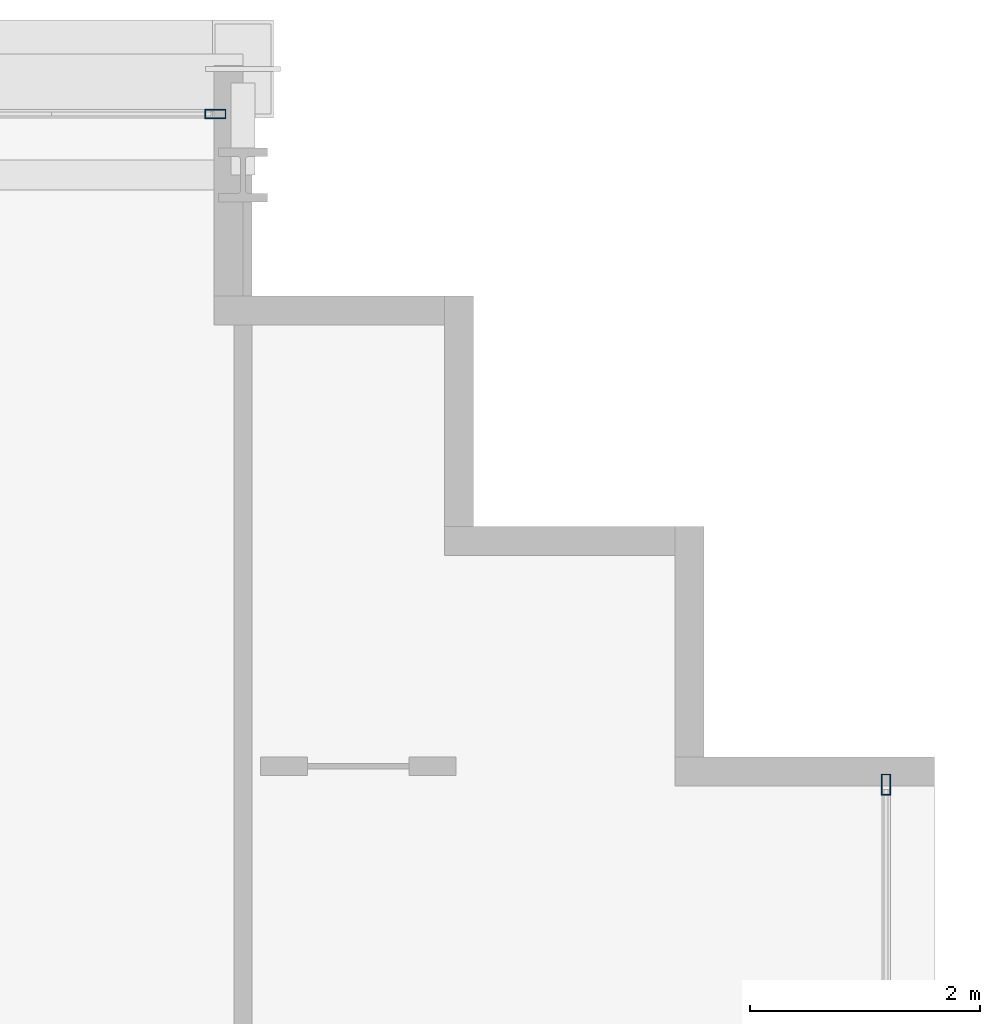
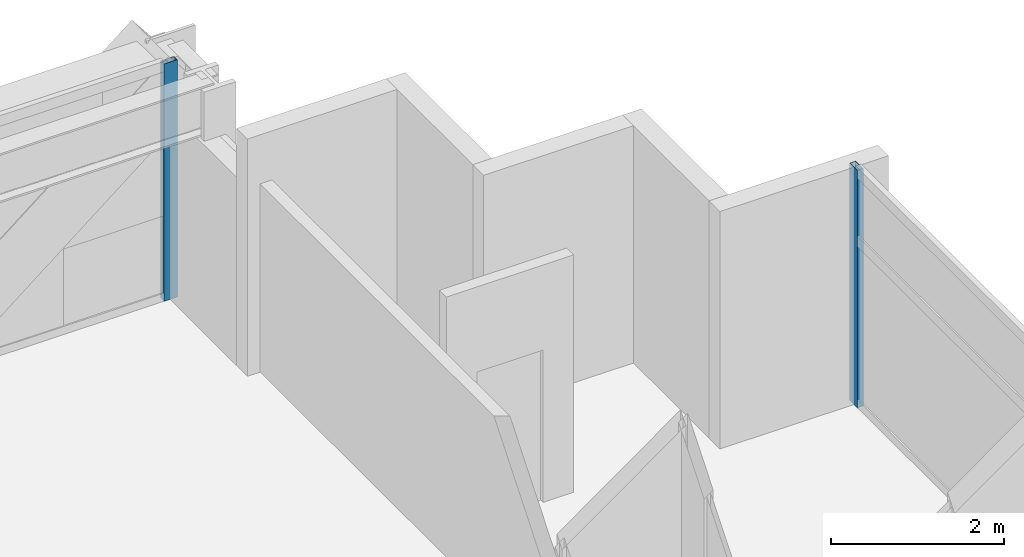
# One storey, part 22 of 38: 2 members, 2 elements without a shape of their own.
"""IFC4 building model written with IfcOpenShell, lengths in metres."""

import ifcopenshell
import ifcopenshell.guid

model = None  # the IFC model being written
_history = None  # IfcOwnerHistory: only IFC2X3 demands one
_inside = {}  # id of a spatial element -> (the spatial element, [elements in it])
_under = {}  # id of a project, library or spatial element -> (it, [spatial elements below it])
_declared = {}  # id of a project -> (the project, [libraries it declares])
_typed = {}  # id of a type object -> (the type object, [elements of that type])
_made_of = {}  # id of a material, layer set ... -> (it, [elements and type objects made of it])


def new_model(schema):
    """Start an empty IFC model of exactly this schema.

    Asked for "IFC4X3", IfcOpenShell would pick the latest addendum, in which some entities
    have other attributes; the version numbers below select the first issue.
    IFC2X3 requires an IfcOwnerHistory on every rooted entity: one is made here for all.
    """
    global model, _history
    if schema == "IFC4X3":
        model = ifcopenshell.file(schema_version=(4, 3, 0, 0))
    else:
        model = ifcopenshell.file(schema=schema)
    _inside.clear()
    _under.clear()
    _declared.clear()
    _typed.clear()
    _made_of.clear()
    _history = None
    if model.schema == "IFC2X3":
        org = make("IfcOrganization", Name="unknown")
        user = make(
            "IfcPersonAndOrganization",
            ThePerson=make("IfcPerson", FamilyName="unknown"),
            TheOrganization=org,
        )
        app = make(
            "IfcApplication",
            ApplicationDeveloper=org,
            Version="unknown",
            ApplicationFullName="unknown",
            ApplicationIdentifier="unknown",
        )
        _history = make(
            "IfcOwnerHistory",
            OwningUser=user,
            OwningApplication=app,
            ChangeAction="ADDED",
            CreationDate=0,
        )
    return model


def make(cls, **values):
    """One entity of the class cls with the attributes given. An attribute that is None is left unset."""
    return model.create_entity(
        cls, **{name: value for name, value in values.items() if value is not None}
    )


def rooted(cls, **values):
    """An entity with a GlobalId (a new one), such as an element, a storey or a relation."""
    return make(cls, GlobalId=ifcopenshell.guid.new(), OwnerHistory=_history, **values)


def si_unit(unit_type, name, prefix=None):
    """IfcSIUnit, for example si_unit("LENGTHUNIT", "METRE", prefix="MILLI")."""
    return make("IfcSIUnit", UnitType=unit_type, Prefix=prefix, Name=name)


def assignment(units):
    """IfcUnitAssignment: the units of a project."""
    return None if units is None else make("IfcUnitAssignment", Units=units)


def point(xyz):
    """IfcCartesianPoint."""
    return None if xyz is None else make("IfcCartesianPoint", Coordinates=xyz)


def direction(xyz):
    """IfcDirection."""
    return None if xyz is None else make("IfcDirection", DirectionRatios=xyz)


def frame(location, z_axis=None, x_axis=None):
    """IfcAxis2Placement3D, a coordinate frame: its origin and axes. An axis left out is left unset."""
    return make(
        "IfcAxis2Placement3D",
        Location=point(location),
        Axis=direction(z_axis),
        RefDirection=direction(x_axis),
    )


def frame_2d(location, x_axis=None):
    """IfcAxis2Placement2D, a coordinate frame in the plane: its origin and x axis."""
    return make(
        "IfcAxis2Placement2D", Location=point(location), RefDirection=direction(x_axis)
    )


def origin():
    """The frame at (0, 0, 0) with its axes left unset."""
    return frame((0.0, 0.0, 0.0))


def origin_2d():
    """The frame at (0, 0) in the plane with its x axis left unset."""
    return frame_2d((0.0, 0.0))


def place(relative_to, where):
    """IfcLocalPlacement: puts the frame where relative to a parent placement (None: the world)."""
    return make(
        "IfcLocalPlacement", PlacementRelTo=relative_to, RelativePlacement=where
    )


def context(
    kind, dimensions, precision=None, world=None, true_north=None, identifier=None
):
    """IfcGeometricRepresentationContext, for example the 3D "Model" context."""
    return make(
        "IfcGeometricRepresentationContext",
        ContextIdentifier=identifier,
        ContextType=kind,
        CoordinateSpaceDimension=dimensions,
        Precision=precision,
        WorldCoordinateSystem=world,
        TrueNorth=true_north,
    )


def subcontext(parent, identifier, kind, view, scale=None):
    """IfcGeometricRepresentationSubContext, for example "Body" below "Model"."""
    return make(
        "IfcGeometricRepresentationSubContext",
        ContextIdentifier=identifier,
        ContextType=kind,
        ParentContext=parent,
        TargetScale=scale,
        TargetView=view,
    )


def project(units=None, contexts=None):
    """IfcProject with its units and contexts."""
    return rooted(
        "IfcProject",
        Name="project",
        RepresentationContexts=contexts,
        UnitsInContext=assignment(units),
    )


def spatial(cls, under=None, at=None, **own):
    """A site, building, storey or space (cls), placed at a placement, below another one or the project."""
    s = rooted(cls, ObjectPlacement=at, **own)
    if under is not None:
        _under.setdefault(under.id(), (under, []))[1].append(s)
    return s


def profile(cls, at=None, kind="AREA", **sizes):
    """A parametric profile (cls). Its sizes go by their IFC names, for example OverallWidth=200.0."""
    return make(cls, ProfileType=kind, Position=at, **sizes)


def hollow_rectangle(**sizes):
    """IfcRectangleHollowProfileDef."""
    return profile("IfcRectangleHollowProfileDef", **sizes)


def extrude(swept, where, along, depth):
    """IfcExtrudedAreaSolid: the profile swept, set in the frame where, extruded along a direction by depth."""
    return make(
        "IfcExtrudedAreaSolid",
        SweptArea=swept,
        Position=where,
        ExtrudedDirection=direction(along),
        Depth=depth,
    )


def shape(context_of_items, identifier, shape_type, items):
    """IfcShapeRepresentation: the items that make up one representation, for example the "Body"."""
    return make(
        "IfcShapeRepresentation",
        ContextOfItems=context_of_items,
        RepresentationIdentifier=identifier,
        RepresentationType=shape_type,
        Items=items,
    )


def source(mapping_origin, context_of_items, identifier, shape_type, items):
    """IfcRepresentationMap: a shape defined once, which mapped items show again and again."""
    return make(
        "IfcRepresentationMap",
        MappingOrigin=mapping_origin,
        MappedRepresentation=shape(context_of_items, identifier, shape_type, items),
    )


def transform(
    local_origin,
    x_axis=None,
    y_axis=None,
    z_axis=None,
    scale=None,
    scale2=None,
    scale3=None,
    uniform=True,
):
    """IfcCartesianTransformationOperator3D, or its non-uniform kind. x_axis, y_axis, z_axis: its Axis1, 2, 3."""
    if uniform:
        return make(
            "IfcCartesianTransformationOperator3D",
            Axis1=direction(x_axis),
            Axis2=direction(y_axis),
            LocalOrigin=point(local_origin),
            Scale=scale,
            Axis3=direction(z_axis),
        )
    return make(
        "IfcCartesianTransformationOperator3DnonUniform",
        Axis1=direction(x_axis),
        Axis2=direction(y_axis),
        LocalOrigin=point(local_origin),
        Scale=scale,
        Axis3=direction(z_axis),
        Scale2=scale2,
        Scale3=scale3,
    )


def mapped(mapping_source, mapping_target):
    """IfcMappedItem: shows the shape of a source again, moved by a transform."""
    return make(
        "IfcMappedItem", MappingSource=mapping_source, MappingTarget=mapping_target
    )


def material(Name=None, Category=None):
    """IfcMaterial."""
    return make("IfcMaterial", Name=Name, Category=Category)


def layer(
    of_material, thickness, ventilated=None, Name=None, Category=None, Priority=None
):
    """IfcMaterialLayer: one layer of a wall or slab, of a material (None: an air gap)."""
    return make(
        "IfcMaterialLayer",
        Material=of_material,
        LayerThickness=thickness,
        IsVentilated=ventilated,
        Name=Name,
        Category=Category,
        Priority=Priority,
    )


def layer_set(layers, Name=None):
    """IfcMaterialLayerSet."""
    return make("IfcMaterialLayerSet", MaterialLayers=layers, LayerSetName=Name)


def material_profile(
    of_material, cross_section, Name=None, Category=None, Priority=None
):
    """IfcMaterialProfile: a cross section and its material."""
    return make(
        "IfcMaterialProfile",
        Name=Name,
        Material=of_material,
        Profile=cross_section,
        Priority=Priority,
        Category=Category,
    )


def profile_set(profiles, Name=None, composite=None):
    """IfcMaterialProfileSet."""
    return make(
        "IfcMaterialProfileSet",
        Name=Name,
        MaterialProfiles=profiles,
        CompositeProfile=composite,
    )


def made_of(thing, what):
    """Note that an element or type object is made of a material, layer set ...; save() writes the relation."""
    if what is not None:
        _made_of.setdefault(what.id(), (what, []))[1].append(thing)
    return thing


def type_object(cls, material=None, **own):
    """A type object (cls), such as IfcWallType, which elements share."""
    return made_of(rooted(cls, **own), material)


def element(
    cls,
    number,
    at=None,
    inside=None,
    cuts=None,
    type_object=None,
    material=None,
    context=None,
    identifier="Body",
    shape_type=None,
    held_by="IfcProductDefinitionShape",
    body=None,
    shapes=None,
    **own,
):
    """One element of the class cls, such as IfcWall. Its Tag is "e" and its number.

    at: its placement. inside: the storey or other place that contains it. cuts: it is an
    opening in that element (IfcRelVoidsElement). A single representation is given by context,
    identifier, shape_type and body (its items); several are given by shapes. held_by: the class
    of the entity that holds the representations. save() writes the other relations.
    """
    e = rooted(cls, Tag="e%d" % number, ObjectPlacement=at, **own)
    if body is not None:
        shapes = [shape(context, identifier, shape_type, body)]
    if shapes is not None:
        e.Representation = make(held_by, Representations=shapes)
    if inside is not None:
        _inside.setdefault(inside.id(), (inside, []))[1].append(e)
    if cuts is not None:
        rooted(
            "IfcRelVoidsElement", RelatingBuildingElement=cuts, RelatedOpeningElement=e
        )
    if type_object is not None:
        _typed.setdefault(type_object.id(), (type_object, []))[1].append(e)
    return made_of(e, material)


def aggregate(whole, parts):
    """IfcRelAggregates: a whole, such as a stair, and the parts it consists of."""
    return rooted("IfcRelAggregates", RelatingObject=whole, RelatedObjects=parts)


def save(model, path):
    """Write the relations noted so far, then the file.

    IfcRelAggregates (storeys below a building ...), IfcRelContainedInSpatialStructure (elements
    in a storey), IfcRelDefinesByType, IfcRelAssociatesMaterial and IfcRelDeclares: one each for
    every whole, place, type object, material and project.
    """
    for whole, parts in _under.values():
        aggregate(whole, parts)
    for where, things in _inside.values():
        rooted(
            "IfcRelContainedInSpatialStructure",
            RelatedElements=things,
            RelatingStructure=where,
        )
    for kind, things in _typed.values():
        rooted("IfcRelDefinesByType", RelatedObjects=things, RelatingType=kind)
    for what, things in _made_of.values():
        rooted("IfcRelAssociatesMaterial", RelatedObjects=things, RelatingMaterial=what)
    for by, libraries in _declared.values():
        rooted("IfcRelDeclares", RelatingContext=by, RelatedDefinitions=libraries)
    model.write(path)


model = new_model("IFC4")

# Units and contexts
model_context = context("Model", 3, precision=1e-05, world=origin(), true_north=direction((0.0, 1.0)))
body_context = subcontext(model_context, "Body", "Model", "MODEL_VIEW")
ifc_project = project(units=[si_unit("LENGTHUNIT", "METRE"), si_unit("AREAUNIT", "SQUARE_METRE"), si_unit("VOLUMEUNIT", "CUBIC_METRE"), si_unit("PLANEANGLEUNIT", "RADIAN"), si_unit("MASSUNIT", "GRAM", prefix="KILO")], contexts=[model_context])

# Site, building, storey
site_placement = place(None, origin())
site = spatial("IfcSite", under=ifc_project, at=site_placement, CompositionType="ELEMENT")
building_placement = place(site_placement, origin())
building = spatial("IfcBuilding", under=site, at=building_placement, Name="Ocotamira Hotel", CompositionType="ELEMENT")
storey_placement = place(building_placement, frame((0.0, 0.0, 60.0)))
storey = spatial("IfcBuildingStorey", under=building, at=storey_placement, Name="L14", CompositionType="ELEMENT", Elevation=60.0)

# Curtain wall, member
ifc_material_1 = material(Name="Anodised pale-metal aluminium and solar glass", Category="aluminium")
ifc_layer = layer(ifc_material_1, 0.179931640625)
ifc_layer_set = layer_set([ifc_layer], Name="Anodised pale-metal aluminium and solar glass")
curtain_wall_type = type_object("IfcCurtainWallType", Name="CW-SYS2-Z1", PredefinedType="NOTDEFINED", material=ifc_layer_set)
curtain_wall_1_placement = place(storey_placement, origin())
curtain_wall_1 = element("IfcCurtainWall", 1, at=curtain_wall_1_placement, inside=storey, type_object=curtain_wall_type, Name="L14 Curtain Wall CW-2 CW-L14-N", PredefinedType="NOTDEFINED")
ifc_material_2 = material(Name="Anodised pale-metal aluminium 6063-T6", Category="aluminium")
ifc_material_profile = material_profile(ifc_material_2, hollow_rectangle(XDim=0.080078125, YDim=0.179931640625, WallThickness=0.006103515625, at=origin_2d()), Name="HSS180X80X6")
ifc_profile_set = profile_set([ifc_material_profile], Name="Anodised pale-metal aluminium 6063-T6")
member_type = type_object("IfcMemberType", Name="CWM-180X75", PredefinedType="MULLION", material=ifc_profile_set)
shared_shape = source(origin(), body_context, "Body", "SweptSolid", [
    extrude(hollow_rectangle(XDim=0.080078125, YDim=0.179931640625, WallThickness=0.006103515625, at=origin_2d()), origin(), (0.0, 0.0, 1.0), 3.35009765625),
])
member_1_placement = place(storey_placement, frame((49.760009765625, 49.580078125, 0.0), z_axis=(0.0, 0.0, 1.0), x_axis=(0.0, 1.0, 0.0)))
member_1 = element("IfcMember", 2, at=member_1_placement, type_object=member_type, Name="CW-2 mullion 10", PredefinedType="MULLION", context=body_context, shape_type="MappedRepresentation", body=[
    mapped(shared_shape, transform((0.0, 0.0, 0.0), scale=1.0)),
])
aggregate(curtain_wall_1, [member_1])

curtain_wall_2_placement = place(storey_placement, origin())
curtain_wall_2 = element("IfcCurtainWall", 3, at=curtain_wall_2_placement, inside=storey, type_object=curtain_wall_type, Name="L14 Curtain Wall CW-2 CW-L14-E", PredefinedType="NOTDEFINED")
member_2_placement = place(storey_placement, frame((55.580078125, 43.760009765625, 0.0), z_axis=(0.0, 0.0, 1.0), x_axis=(-1.0, 0.0, 0.0)))
member_2 = element("IfcMember", 4, at=member_2_placement, type_object=member_type, Name="CW-2 mullion 8", PredefinedType="MULLION", context=body_context, shape_type="MappedRepresentation", body=[
    mapped(shared_shape, transform((0.0, 0.0, 0.0), scale=1.0)),
])
aggregate(curtain_wall_2, [member_2])

save(model, "model.ifc")
